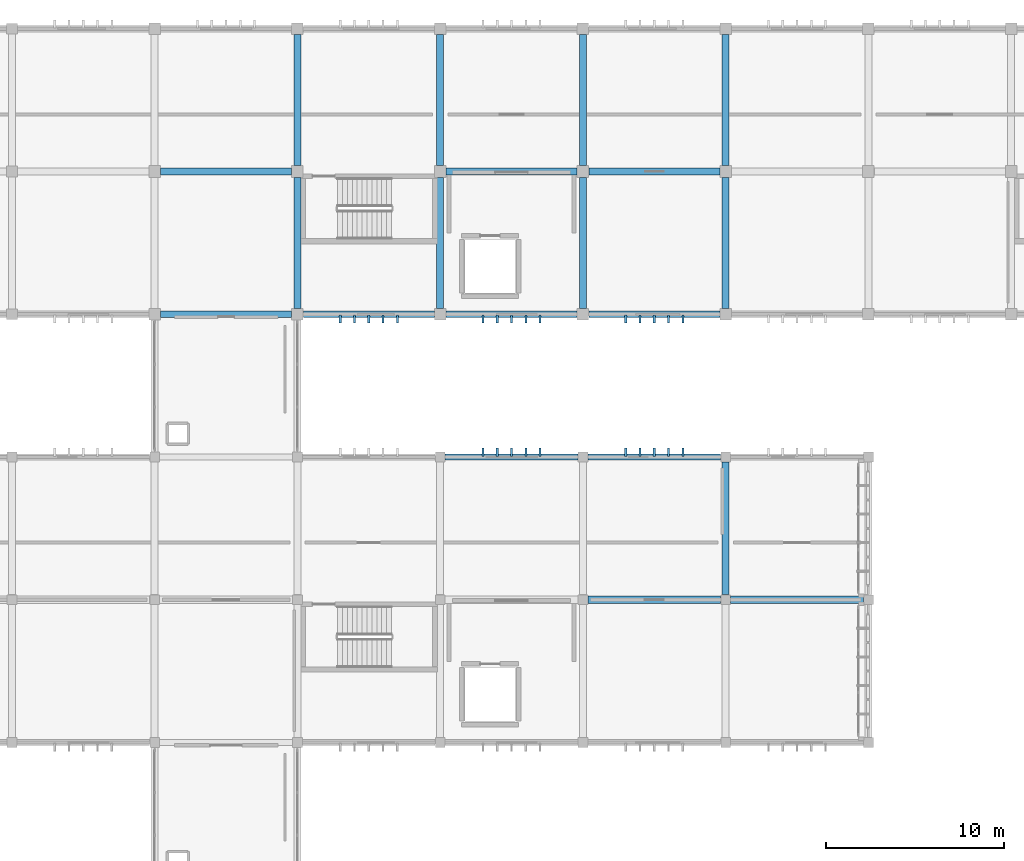
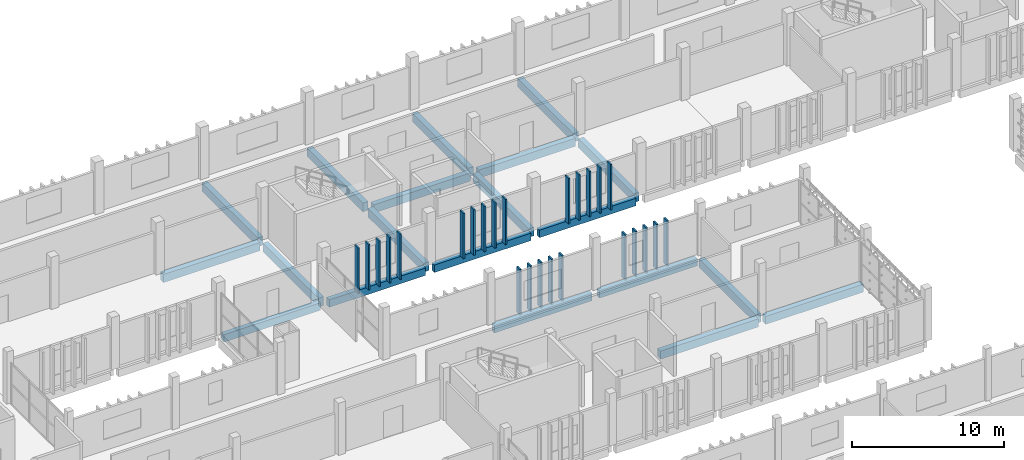
# One storey, part 22 of 63: 25 members, 20 beams.
"""IFC4 building model written with IfcOpenShell, lengths in metres."""

from ifc_helpers import new_model, si_unit, direction, frame, origin, origin_2d, place, context, subcontext, project, spatial, rectangle, extrude, material, material_profile, profile_set, type_object, element, save


model = new_model("IFC4")

# Units and contexts
model_context = context("Model", 3, precision=1e-05, world=origin(), true_north=direction((0.0, 1.0)))
body_context = subcontext(model_context, "Body", "Model", "MODEL_VIEW")
ifc_project = project(units=[si_unit("LENGTHUNIT", "METRE"), si_unit("AREAUNIT", "SQUARE_METRE"), si_unit("VOLUMEUNIT", "CUBIC_METRE"), si_unit("PLANEANGLEUNIT", "RADIAN"), si_unit("MASSUNIT", "GRAM", prefix="KILO")], contexts=[model_context])

# Site, building, storey
site_placement = place(None, origin())
site = spatial("IfcSite", under=ifc_project, at=site_placement, CompositionType="ELEMENT")
building_placement = place(site_placement, origin())
building = spatial("IfcBuilding", under=site, at=building_placement, Name="Jelvoka-Kovrelna Polytechnic", CompositionType="ELEMENT")
storey_placement = place(building_placement, frame((0.0, 0.0, 18.0)))
storey = spatial("IfcBuildingStorey", under=building, at=storey_placement, Name="L05", CompositionType="ELEMENT", Elevation=18.0)

# Beams
ifc_material_1 = material(Name="Concrete C40/50", Category="concrete")
ifc_material_profile_1 = material_profile(ifc_material_1, rectangle(XDim=0.39990234375, YDim=0.64990234375, at=origin_2d()), Name="RC 400x650")
ifc_profile_set_1 = profile_set([ifc_material_profile_1], Name="Concrete C40/50")
beam_type_1 = type_object("IfcBeamType", Name="Beam_RC_400x650", PredefinedType="BEAM", material=ifc_profile_set_1)
for number, where, z_axis, x_axis, name in (
    (1, (96.280029296875, 40.0, -0.574951171875), (1.0, 0.0, 0.0), (0.0, 1.0, 0.0), "L05 beam 1434"),
    (2, (104.280029296875, 40.0, -0.574951171875), (1.0, 0.0, 0.0), (0.0, 1.0, 0.0), "L05 beam 1435"),
):
    element("IfcBeam", number, at=place(storey_placement, frame(where, z_axis=z_axis, x_axis=x_axis)), inside=storey, type_object=beam_type_1, Name=name, PredefinedType="BEAM", context=body_context, shape_type="SweptSolid", body=[
        extrude(rectangle(XDim=0.39990234375, YDim=0.64990234375, at=origin_2d()), origin(), (0.0, 0.0, 1.0), 7.43994140625),
    ])
for number, where, z_axis, x_axis, name in (
    (3, (72.330078125, 64.0, -0.574951171875), (1.0, 0.0, 0.0), (0.0, 1.0, 0.0), "L05 beam 1514"),
    (4, (88.330078125, 64.0, -0.574951171875), (1.0, 0.0, 0.0), (0.0, 1.0, 0.0), "L05 beam 1515"),
    (5, (96.330078125, 64.0, -0.574951171875), (1.0, 0.0, 0.0), (0.0, 1.0, 0.0), "L05 beam 1516"),
):
    element("IfcBeam", number, at=place(storey_placement, frame(where, z_axis=z_axis, x_axis=x_axis)), inside=storey, type_object=beam_type_1, Name=name, PredefinedType="BEAM", context=body_context, shape_type="SweptSolid", body=[
        extrude(rectangle(XDim=0.39990234375, YDim=0.64990234375, at=origin_2d()), origin(), (0.0, 0.0, 1.0), 7.33984375),
    ])
ifc_material_2 = material(Name="Concrete C40/50", Category="concrete")
ifc_material_profile_2 = material_profile(ifc_material_2, rectangle(XDim=0.39990234375, YDim=0.699951171875, at=origin_2d()), Name="RC 400x700")
ifc_profile_set_2 = profile_set([ifc_material_profile_2], Name="Concrete C40/50")
beam_type_2 = type_object("IfcBeamType", Name="Beam_RC_400x700", PredefinedType="BEAM", material=ifc_profile_set_2)
beam_placement = place(storey_placement, frame((104.0, 40.280029296875, -0.60009765625), z_axis=(0.0, 1.0, 0.0), x_axis=(-1.0, 0.0, 0.0)))
element("IfcBeam", 6, at=beam_placement, inside=storey, type_object=beam_type_2, Name="L05 beam 1456", PredefinedType="BEAM", context=body_context, shape_type="SweptSolid", body=[
    extrude(rectangle(XDim=0.39990234375, YDim=0.699951171875, at=origin_2d()), origin(), (0.0, 0.0, 1.0), 7.43994140625),
])
for number, where, z_axis, x_axis, name in (
    (7, (80.0, 56.330078125, -0.60009765625), (0.0, 1.0, 0.0), (-1.0, 0.0, 0.0), "L05 beam 1531"),
    (8, (80.0, 64.330078125, -0.60009765625), (0.0, 1.0, 0.0), (-1.0, 0.0, 0.0), "L05 beam 1532"),
    (9, (88.0, 56.330078125, -0.60009765625), (0.0, 1.0, 0.0), (-1.0, 0.0, 0.0), "L05 beam 1533"),
    (10, (88.0, 64.330078125, -0.60009765625), (0.0, 1.0, 0.0), (-1.0, 0.0, 0.0), "L05 beam 1534"),
    (11, (96.0, 56.330078125, -0.60009765625), (0.0, 1.0, 0.0), (-1.0, 0.0, 0.0), "L05 beam 1535"),
    (12, (96.0, 64.330078125, -0.60009765625), (0.0, 1.0, 0.0), (-1.0, 0.0, 0.0), "L05 beam 1536"),
    (13, (104.0, 56.330078125, -0.60009765625), (0.0, 1.0, 0.0), (-1.0, 0.0, 0.0), "L05 beam 1537"),
    (14, (104.0, 64.330078125, -0.60009765625), (0.0, 1.0, 0.0), (-1.0, 0.0, 0.0), "L05 beam 1538"),
):
    element("IfcBeam", number, at=place(storey_placement, frame(where, z_axis=z_axis, x_axis=x_axis)), inside=storey, type_object=beam_type_2, Name=name, PredefinedType="BEAM", context=body_context, shape_type="SweptSolid", body=[
        extrude(rectangle(XDim=0.39990234375, YDim=0.699951171875, at=origin_2d()), origin(), (0.0, 0.0, 1.0), 7.33984375),
    ])

# Members
ifc_material_3 = material(Name="Precast concrete C40/50", Category="concrete")
ifc_material_profile_3 = material_profile(ifc_material_3, rectangle(XDim=0.1201171875, YDim=0.449951171875, at=origin_2d()), Name="PC 120x450")
ifc_profile_set_3 = profile_set([ifc_material_profile_3], Name="Precast concrete C40/50")
member_type = type_object("IfcMemberType", Name="Louvre_Fin_120x450", PredefinedType="USERDEFINED", material=ifc_profile_set_3)
for number, where, z_axis, x_axis, name in (
    (15, (90.39990234375, 48.264892578125, -0.27001953125), (0.0, 0.0, 1.0), (1.0, 0.0, 0.0), "L05 B2W north vertical solar louvre fin 0786"),
    (16, (91.199951171875, 48.264892578125, -0.27001953125), (0.0, 0.0, 1.0), (1.0, 0.0, 0.0), "L05 B2W north vertical solar louvre fin 0787"),
    (17, (92.0, 48.264892578125, -0.27001953125), (0.0, 0.0, 1.0), (1.0, 0.0, 0.0), "L05 B2W north vertical solar louvre fin 0788"),
    (18, (92.800048828125, 48.264892578125, -0.27001953125), (0.0, 0.0, 1.0), (1.0, 0.0, 0.0), "L05 B2W north vertical solar louvre fin 0789"),
    (19, (93.60009765625, 48.264892578125, -0.27001953125), (0.0, 0.0, 1.0), (1.0, 0.0, 0.0), "L05 B2W north vertical solar louvre fin 0790"),
    (20, (98.39990234375, 48.264892578125, -0.27001953125), (0.0, 0.0, 1.0), (1.0, 0.0, 0.0), "L05 B2W north vertical solar louvre fin 0796"),
    (21, (99.199951171875, 48.264892578125, -0.27001953125), (0.0, 0.0, 1.0), (1.0, 0.0, 0.0), "L05 B2W north vertical solar louvre fin 0797"),
    (22, (100.0, 48.264892578125, -0.27001953125), (0.0, 0.0, 1.0), (1.0, 0.0, 0.0), "L05 B2W north vertical solar louvre fin 0798"),
    (23, (100.800048828125, 48.264892578125, -0.27001953125), (0.0, 0.0, 1.0), (1.0, 0.0, 0.0), "L05 B2W north vertical solar louvre fin 0799"),
    (24, (101.60009765625, 48.264892578125, -0.27001953125), (0.0, 0.0, 1.0), (1.0, 0.0, 0.0), "L05 B2W north vertical solar louvre fin 0800"),
    (25, (82.39990234375, 55.735107421875, -0.27001953125), (0.0, 0.0, 1.0), (1.0, 0.0, 0.0), "L05 B3 south vertical solar louvre fin 1806"),
    (26, (83.199951171875, 55.735107421875, -0.27001953125), (0.0, 0.0, 1.0), (1.0, 0.0, 0.0), "L05 B3 south vertical solar louvre fin 1807"),
    (27, (84.0, 55.735107421875, -0.27001953125), (0.0, 0.0, 1.0), (1.0, 0.0, 0.0), "L05 B3 south vertical solar louvre fin 1808"),
    (28, (84.800048828125, 55.735107421875, -0.27001953125), (0.0, 0.0, 1.0), (1.0, 0.0, 0.0), "L05 B3 south vertical solar louvre fin 1809"),
    (29, (85.60009765625, 55.735107421875, -0.27001953125), (0.0, 0.0, 1.0), (1.0, 0.0, 0.0), "L05 B3 south vertical solar louvre fin 1810"),
    (30, (90.39990234375, 55.735107421875, -0.27001953125), (0.0, 0.0, 1.0), (1.0, 0.0, 0.0), "L05 B3 south vertical solar louvre fin 1816"),
    (31, (91.199951171875, 55.735107421875, -0.27001953125), (0.0, 0.0, 1.0), (1.0, 0.0, 0.0), "L05 B3 south vertical solar louvre fin 1817"),
    (32, (92.0, 55.735107421875, -0.27001953125), (0.0, 0.0, 1.0), (1.0, 0.0, 0.0), "L05 B3 south vertical solar louvre fin 1818"),
    (33, (92.800048828125, 55.735107421875, -0.27001953125), (0.0, 0.0, 1.0), (1.0, 0.0, 0.0), "L05 B3 south vertical solar louvre fin 1819"),
    (34, (93.60009765625, 55.735107421875, -0.27001953125), (0.0, 0.0, 1.0), (1.0, 0.0, 0.0), "L05 B3 south vertical solar louvre fin 1820"),
    (35, (98.39990234375, 55.735107421875, -0.27001953125), (0.0, 0.0, 1.0), (1.0, 0.0, 0.0), "L05 B3 south vertical solar louvre fin 1826"),
    (36, (99.199951171875, 55.735107421875, -0.27001953125), (0.0, 0.0, 1.0), (1.0, 0.0, 0.0), "L05 B3 south vertical solar louvre fin 1827"),
    (37, (100.0, 55.735107421875, -0.27001953125), (0.0, 0.0, 1.0), (1.0, 0.0, 0.0), "L05 B3 south vertical solar louvre fin 1828"),
    (38, (100.800048828125, 55.735107421875, -0.27001953125), (0.0, 0.0, 1.0), (1.0, 0.0, 0.0), "L05 B3 south vertical solar louvre fin 1829"),
    (39, (101.60009765625, 55.735107421875, -0.27001953125), (0.0, 0.0, 1.0), (1.0, 0.0, 0.0), "L05 B3 south vertical solar louvre fin 1830"),
):
    element("IfcMember", number, at=place(storey_placement, frame(where, z_axis=z_axis, x_axis=x_axis)), inside=storey, type_object=member_type, Name=name, ObjectType="SUNSHADE", PredefinedType="USERDEFINED", context=body_context, shape_type="SweptSolid", body=[
        extrude(rectangle(XDim=0.1201171875, YDim=0.449951171875, at=origin_2d()), origin(), (0.0, 0.0, 1.0), 3.655029296875),
    ])

# Beams
ifc_material_4 = material(Name="Concrete C40/50", Category="concrete")
ifc_material_profile_4 = material_profile(ifc_material_4, rectangle(XDim=0.35009765625, YDim=0.60009765625, at=origin_2d()), Name="RC 350x600")
ifc_profile_set_4 = profile_set([ifc_material_profile_4], Name="Concrete C40/50")
beam_type_3 = type_object("IfcBeamType", Name="Spandrel_RC_350x600", PredefinedType="SPANDREL", material=ifc_profile_set_4)
for number, where, z_axis, x_axis, name in (
    (40, (88.280029296875, 48.0, -0.550048828125), (1.0, 0.0, 0.0), (0.0, 1.0, 0.0), "L05 beam 1440"),
    (41, (96.280029296875, 48.0, -0.550048828125), (1.0, 0.0, 0.0), (0.0, 1.0, 0.0), "L05 beam 1441"),
):
    element("IfcBeam", number, at=place(storey_placement, frame(where, z_axis=z_axis, x_axis=x_axis)), inside=storey, type_object=beam_type_3, Name=name, PredefinedType="SPANDREL", context=body_context, shape_type="SweptSolid", body=[
        extrude(rectangle(XDim=0.35009765625, YDim=0.60009765625, at=origin_2d()), origin(), (0.0, 0.0, 1.0), 7.43994140625),
    ])
for number, where, z_axis, x_axis, name in (
    (42, (72.330078125, 56.0, -0.550048828125), (1.0, 0.0, 0.0), (0.0, 1.0, 0.0), "L05 beam 1507"),
    (43, (80.330078125, 56.0, -0.550048828125), (1.0, 0.0, 0.0), (0.0, 1.0, 0.0), "L05 beam 1508"),
    (44, (88.330078125, 56.0, -0.550048828125), (1.0, 0.0, 0.0), (0.0, 1.0, 0.0), "L05 beam 1509"),
    (45, (96.330078125, 56.0, -0.550048828125), (1.0, 0.0, 0.0), (0.0, 1.0, 0.0), "L05 beam 1510"),
):
    element("IfcBeam", number, at=place(storey_placement, frame(where, z_axis=z_axis, x_axis=x_axis)), inside=storey, type_object=beam_type_3, Name=name, PredefinedType="SPANDREL", context=body_context, shape_type="SweptSolid", body=[
        extrude(rectangle(XDim=0.35009765625, YDim=0.60009765625, at=origin_2d()), origin(), (0.0, 0.0, 1.0), 7.33984375),
    ])

save(model, "model.ifc")
